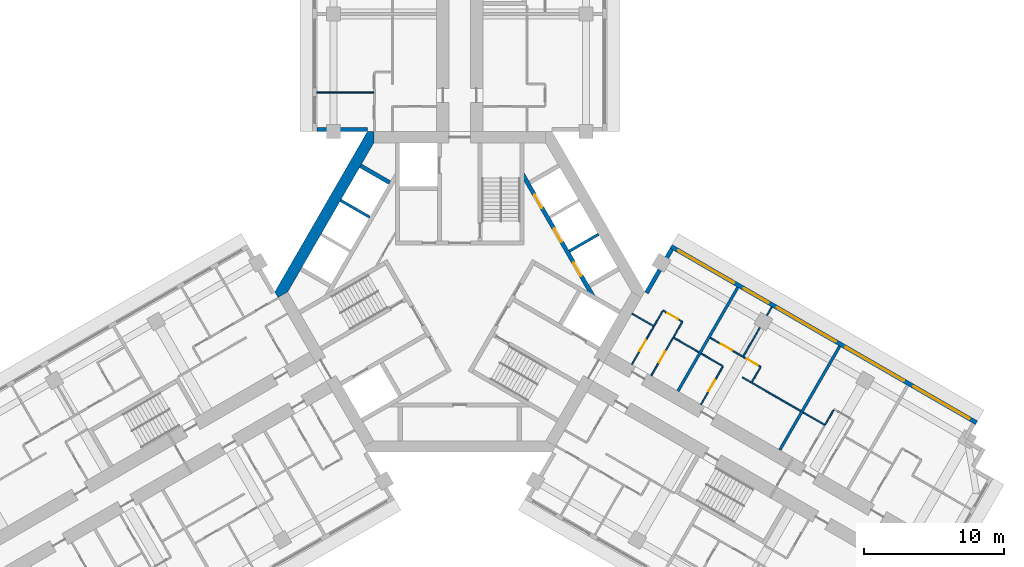
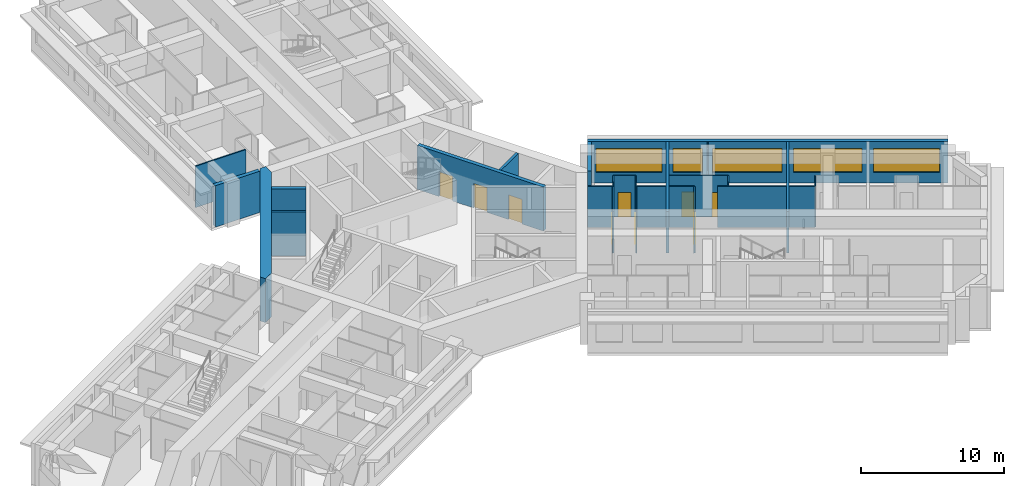
# One storey, part 7 of 12: 27 walls, 9 doors, 5 windows, 14 openings.
"""IFC4 building model written with IfcOpenShell, lengths in metres."""

from ifc_helpers import new_model, si_unit, direction, frame, frame_2d, origin, place, context, subcontext, project, spatial, polyline, rectangle, outline, extrude, material, layer, layer_set, type_object, element, fill, save


model = new_model("IFC4")

# Units and contexts
model_context = context("Model", 3, precision=1e-05, world=origin(), true_north=direction((0.0, 1.0)))
body_context = subcontext(model_context, "Body", "Model", "MODEL_VIEW")
ifc_project = project(units=[si_unit("LENGTHUNIT", "METRE"), si_unit("AREAUNIT", "SQUARE_METRE"), si_unit("VOLUMEUNIT", "CUBIC_METRE"), si_unit("PLANEANGLEUNIT", "RADIAN"), si_unit("MASSUNIT", "GRAM", prefix="KILO")], contexts=[model_context])

# Site, building, storey
site_placement = place(None, origin())
site = spatial("IfcSite", under=ifc_project, at=site_placement, CompositionType="ELEMENT")
building_placement = place(site_placement, origin())
building = spatial("IfcBuilding", under=site, at=building_placement, Name="Impinga Residences", CompositionType="ELEMENT")
storey_placement = place(building_placement, frame((0.0, 0.0, 166.0)))
storey = spatial("IfcBuildingStorey", under=building, at=storey_placement, Name="L41", CompositionType="ELEMENT", Elevation=166.0)

# Walls
ifc_material_1 = material(Name="Terracotta rainscreen on blockwork", Category="masonry")
ifc_layer_1 = layer(ifc_material_1, 0.300048828125)
ifc_layer_set_1 = layer_set([ifc_layer_1], Name="EW1 external wall, terracotta rainscreen on blockwork 300")
wall_type_1 = type_object("IfcWallType", Name="EW1 external wall, terracotta rainscreen on blockwork 300", PredefinedType="SOLIDWALL", material=ifc_layer_set_1)
wall_1_placement = place(storey_placement, frame((-6.60009765625, 11.58154296875, 0.0), z_axis=(0.0, 0.0, 1.0), x_axis=(-1.0, 0.0, 0.0)))
element("IfcWall", 1, at=wall_1_placement, inside=storey, type_object=wall_type_1, Name="External wall EW1 L41", PredefinedType="SOLIDWALL", context=body_context, shape_type="SweptSolid", body=[
    extrude(rectangle(XDim=3.599853515625, YDim=0.300048828125, at=frame_2d((1.7998046875, 0.0))), origin(), (0.0, 0.0, 1.0), 3.530029296875),
])
wall_2_placement = place(storey_placement, frame((13.329833984375, -0.074951171875, 0.0), z_axis=(0.0, 0.0, 1.0), x_axis=(0.500012057535, 0.866018442252, 0.0)))
element("IfcWall", 2, at=wall_2_placement, inside=storey, type_object=wall_type_1, Name="External wall EW1 L41", PredefinedType="SOLIDWALL", context=body_context, shape_type="SweptSolid", body=[
    extrude(rectangle(XDim=3.60009765625, YDim=0.300048828125, at=frame_2d((1.800048828125, 0.0))), origin(), (0.0, 0.0, 1.0), 3.530029296875),
])

# Wall, openings, windows
wall_3_placement = place(storey_placement, frame((15.074951171875, 3.24755859375, 0.0), z_axis=(0.0, 0.0, 1.0), x_axis=(0.86602925447, -0.499993330357, 0.0)))
wall_3 = element("IfcWall", 3, at=wall_3_placement, inside=storey, type_object=wall_type_1, Name="External wall EW1 L41", PredefinedType="SOLIDWALL", context=body_context, shape_type="SweptSolid", body=[
    extrude(rectangle(XDim=25.199951171875, YDim=0.300048828125, at=frame_2d((12.60009765625, 0.0))), origin(), (0.0, 0.0, 1.0), 3.530029296875),
])
opening_1_placement = place(wall_3_placement, frame((0.60009765625, 0.0, 0.89990234375)))
opening_1 = element("IfcOpeningElement", 4, at=opening_1_placement, cuts=wall_3, Name="Opening W3", PredefinedType="OPENING", context=body_context, shape_type="SweptSolid", body=[
    extrude(rectangle(XDim=4.60009765625, YDim=2.050048828125, at=frame_2d((2.300048828125, 1.02490234375))), frame((0.0, 0.159912109375, 0.0), z_axis=(0.0, -1.0, 0.0), x_axis=(1.0, 0.0, 0.0)), (0.0, 0.0, 1.0), 0.320068359375),
])
opening_2_placement = place(wall_3_placement, frame((6.0, 0.0, 0.89990234375)))
opening_2 = element("IfcOpeningElement", 5, at=opening_2_placement, cuts=wall_3, Name="Opening W14", PredefinedType="OPENING", context=body_context, shape_type="SweptSolid", body=[
    extrude(rectangle(XDim=2.050048828125, YDim=2.050048828125, at=frame_2d((1.02490234375, 1.02490234375))), frame((0.0, 0.159912109375, 0.0), z_axis=(0.0, -1.0, 0.0), x_axis=(1.0, 0.0, 0.0)), (0.0, 0.0, 1.0), 0.320068359375),
])
opening_3_placement = place(wall_3_placement, frame((8.75, 0.0, 0.89990234375)))
opening_3 = element("IfcOpeningElement", 6, at=opening_3_placement, cuts=wall_3, Name="Opening W6", PredefinedType="OPENING", context=body_context, shape_type="SweptSolid", body=[
    extrude(rectangle(XDim=4.85009765625, YDim=2.050048828125, at=frame_2d((2.425048828125, 1.02490234375))), frame((0.0, 0.159912109375, 0.0), z_axis=(0.0, -1.0, 0.0), x_axis=(1.0, 0.0, 0.0)), (0.0, 0.0, 1.0), 0.320068359375),
])
opening_4_placement = place(wall_3_placement, frame((14.39990234375, 0.0, 0.89990234375)))
opening_4 = element("IfcOpeningElement", 7, at=opening_4_placement, cuts=wall_3, Name="Opening W8", PredefinedType="OPENING", context=body_context, shape_type="SweptSolid", body=[
    extrude(rectangle(XDim=4.800048828125, YDim=2.050048828125, at=frame_2d((2.39990234375, 1.02490234375))), frame((0.0, 0.159912109375, 0.0), z_axis=(0.0, -1.0, 0.0), x_axis=(1.0, 0.0, 0.0)), (0.0, 0.0, 1.0), 0.320068359375),
])
opening_5_placement = place(wall_3_placement, frame((20.0, 0.0, 0.89990234375)))
opening_5 = element("IfcOpeningElement", 8, at=opening_5_placement, cuts=wall_3, Name="Opening W3", PredefinedType="OPENING", context=body_context, shape_type="SweptSolid", body=[
    extrude(rectangle(XDim=4.60009765625, YDim=2.050048828125, at=frame_2d((2.300048828125, 1.02490234375))), frame((0.0, 0.159912109375, 0.0), z_axis=(0.0, -1.0, 0.0), x_axis=(1.0, 0.0, 0.0)), (0.0, 0.0, 1.0), 0.320068359375),
])
ifc_material_2 = material(Name="Aluminium window, clear double glazing", Category="aluminium")
window_type_1 = type_object("IfcWindowType", Name="W14 ribbon window 2050x2050", PartitioningType="SINGLE_PANEL", PredefinedType="WINDOW", material=ifc_material_2)
window_1_placement = place(opening_2_placement, origin())
window_1 = element("IfcWindow", 9, at=window_1_placement, inside=storey, type_object=window_type_1, Name="Window L41", OverallHeight=2.050048828125, OverallWidth=2.050048828125, PartitioningType="SINGLE_PANEL", PredefinedType="WINDOW", context=body_context, shape_type="SweptSolid", body=[
    extrude(rectangle(XDim=2.050048828125, YDim=2.050048828125, at=frame_2d((1.02490234375, 1.02490234375))), frame((0.0, 0.030029296875, 0.0), z_axis=(0.0, -1.0, 0.0), x_axis=(1.0, 0.0, 0.0)), (0.0, 0.0, 1.0), 0.06005859375),
])
fill(opening_2, window_1)
window_type_2 = type_object("IfcWindowType", Name="W3 ribbon window 4600x2050", PartitioningType="SINGLE_PANEL", PredefinedType="WINDOW", material=ifc_material_2)
window_2_placement = place(opening_1_placement, origin())
window_2 = element("IfcWindow", 10, at=window_2_placement, inside=storey, type_object=window_type_2, Name="Window L41", OverallHeight=2.050048828125, OverallWidth=4.60009765625, PartitioningType="SINGLE_PANEL", PredefinedType="WINDOW", context=body_context, shape_type="SweptSolid", body=[
    extrude(rectangle(XDim=4.60009765625, YDim=2.050048828125, at=frame_2d((2.300048828125, 1.02490234375))), frame((0.0, 0.030029296875, 0.0), z_axis=(0.0, -1.0, 0.0), x_axis=(1.0, 0.0, 0.0)), (0.0, 0.0, 1.0), 0.06005859375),
])
fill(opening_1, window_2)
window_3_placement = place(opening_5_placement, origin())
window_3 = element("IfcWindow", 11, at=window_3_placement, inside=storey, type_object=window_type_2, Name="Window L41", OverallHeight=2.050048828125, OverallWidth=4.60009765625, PartitioningType="SINGLE_PANEL", PredefinedType="WINDOW", context=body_context, shape_type="SweptSolid", body=[
    extrude(rectangle(XDim=4.60009765625, YDim=2.050048828125, at=frame_2d((2.300048828125, 1.02490234375))), frame((0.0, 0.030029296875, 0.0), z_axis=(0.0, -1.0, 0.0), x_axis=(1.0, 0.0, 0.0)), (0.0, 0.0, 1.0), 0.06005859375),
])
fill(opening_5, window_3)
window_type_3 = type_object("IfcWindowType", Name="W6 ribbon window 4850x2050", PartitioningType="SINGLE_PANEL", PredefinedType="WINDOW", material=ifc_material_2)
window_4_placement = place(opening_3_placement, origin())
window_4 = element("IfcWindow", 12, at=window_4_placement, inside=storey, type_object=window_type_3, Name="Window L41", OverallHeight=2.050048828125, OverallWidth=4.85009765625, PartitioningType="SINGLE_PANEL", PredefinedType="WINDOW", context=body_context, shape_type="SweptSolid", body=[
    extrude(rectangle(XDim=4.85009765625, YDim=2.050048828125, at=frame_2d((2.425048828125, 1.02490234375))), frame((0.0, 0.030029296875, 0.0), z_axis=(0.0, -1.0, 0.0), x_axis=(1.0, 0.0, 0.0)), (0.0, 0.0, 1.0), 0.06005859375),
])
fill(opening_3, window_4)
window_type_4 = type_object("IfcWindowType", Name="W8 ribbon window 4800x2050", PartitioningType="SINGLE_PANEL", PredefinedType="WINDOW", material=ifc_material_2)
window_5_placement = place(opening_4_placement, origin())
window_5 = element("IfcWindow", 13, at=window_5_placement, inside=storey, type_object=window_type_4, Name="Window L41", OverallHeight=2.050048828125, OverallWidth=4.800048828125, PartitioningType="SINGLE_PANEL", PredefinedType="WINDOW", context=body_context, shape_type="SweptSolid", body=[
    extrude(rectangle(XDim=4.800048828125, YDim=2.050048828125, at=frame_2d((2.39990234375, 1.02490234375))), frame((0.0, 0.030029296875, 0.0), z_axis=(0.0, -1.0, 0.0), x_axis=(1.0, 0.0, 0.0)), (0.0, 0.0, 1.0), 0.06005859375),
])
fill(opening_4, window_5)

# Walls
ifc_material_3 = material(Name="Gypsum board on steel studs", Category="steel")
ifc_layer_2 = layer(ifc_material_3, 0.10009765625)
ifc_layer_set_2 = layer_set([ifc_layer_2], Name="Gypsum board on steel studs")
wall_type_2 = type_object("IfcWallType", Name="IP1 partition 100", PredefinedType="PARTITIONING", material=ifc_layer_set_2)
wall_4_placement = place(storey_placement, frame((-6.14990234375, 14.2314453125, 0.0), z_axis=(0.0, 0.0, 1.0), x_axis=(-1.0, 0.0, 0.0)))
element("IfcWall", 14, at=wall_4_placement, inside=storey, type_object=wall_type_2, Name="Partition L41-NA1:OB1", PredefinedType="PARTITIONING", context=body_context, shape_type="SweptSolid", body=[
    extrude(rectangle(XDim=4.050048828125, YDim=0.10009765625, at=frame_2d((2.02490234375, 0.0))), origin(), (0.0, 0.0, 1.0), 3.530029296875),
])
wall_5_placement = place(storey_placement, frame((12.300048828125, -1.558837890625, 0.0), z_axis=(0.0, 0.0, 1.0), x_axis=(0.866047807691, -0.499961193289, 0.0)))
element("IfcWall", 15, at=wall_5_placement, inside=storey, type_object=wall_type_2, Name="Partition L41-EA1:DIV0", PredefinedType="PARTITIONING", context=body_context, shape_type="SweptSolid", body=[
    extrude(rectangle(XDim=1.800048828125, YDim=0.10009765625, at=frame_2d((0.89990234375, 0.0))), origin(), (0.0, 0.0, 1.0), 3.530029296875),
])
wall_6_placement = place(storey_placement, frame((15.244384765625, -3.2587890625, 0.0), z_axis=(0.0, 0.0, 1.0), x_axis=(0.866038466041, -0.499977374825, 0.0)))
element("IfcWall", 16, at=wall_6_placement, inside=storey, type_object=wall_type_2, Name="Partition L41-EA1:DIV1", PredefinedType="PARTITIONING", context=body_context, shape_type="SweptSolid", body=[
    extrude(rectangle(XDim=2.10009765625, YDim=0.10009765625, at=frame_2d((1.050048828125, 0.0))), origin(), (0.0, 0.0, 1.0), 3.530029296875),
])

# Wall, opening, door
wall_7_placement = place(storey_placement, frame((14.5087890625, -1.3330078125, 0.0), z_axis=(0.0, 0.0, 1.0), x_axis=(0.866028054938, -0.499995408039, 0.0)))
wall_7 = element("IfcWall", 17, at=wall_7_placement, inside=storey, type_object=wall_type_2, Name="Partition L41-EA1:STRIP", PredefinedType="PARTITIONING", context=body_context, shape_type="SweptSolid", body=[
    extrude(rectangle(XDim=1.60009765625, YDim=0.10009765625, at=frame_2d((0.800048828125, 0.0))), origin(), (0.0, 0.0, 1.0), 3.530029296875),
])
opening_6_placement = place(wall_7_placement, frame((0.35009765625, 0.0, 0.0)))
opening_6 = element("IfcOpeningElement", 18, at=opening_6_placement, cuts=wall_7, Name="Opening D2", PredefinedType="OPENING", context=body_context, shape_type="SweptSolid", body=[
    extrude(rectangle(XDim=0.89990234375, YDim=2.10009765625, at=frame_2d((0.449951171875, 1.050048828125))), frame((0.0, 0.06005859375, 0.0), z_axis=(0.0, -1.0, 0.0), x_axis=(1.0, 0.0, 0.0)), (0.0, 0.0, 1.0), 0.1201171875),
])
ifc_material_4 = material(Name="Timber door set", Category="wood")
door_type_1 = type_object("IfcDoorType", Name="D2 internal door 900x2100", OperationType="SINGLE_SWING_LEFT", PredefinedType="DOOR", material=ifc_material_4)
door_1_placement = place(opening_6_placement, origin())
door_1 = element("IfcDoor", 19, at=door_1_placement, inside=storey, type_object=door_type_1, Name="Apartment L41-EA1 room door", OperationType="SINGLE_SWING_LEFT", OverallHeight=2.10009765625, OverallWidth=0.89990234375, PredefinedType="DOOR", context=body_context, shape_type="SweptSolid", body=[
    extrude(rectangle(XDim=0.89990234375, YDim=2.10009765625, at=frame_2d((0.449951171875, 1.050048828125))), frame((0.0, 0.02490234375, 0.0), z_axis=(0.0, -1.0, 0.0), x_axis=(1.0, 0.0, 0.0)), (0.0, 0.0, 1.0), 0.050048828125),
])
fill(opening_6, door_1)

# Walls
wall_8_placement = place(storey_placement, frame((13.8837890625, -2.41552734375, 0.0), z_axis=(0.0, 0.0, 1.0), x_axis=(0.500033551112, 0.866006032174, 0.0)))
element("IfcWall", 20, at=wall_8_placement, inside=storey, type_object=wall_type_2, Name="Partition L41-EA1:SE0", PredefinedType="PARTITIONING", context=body_context, shape_type="SweptSolid", body=[
    extrude(rectangle(XDim=1.2001953125, YDim=0.10009765625, at=frame_2d((0.60009765625, 0.0))), origin(), (0.0, 0.0, 1.0), 3.530029296875),
])
wall_9_placement = place(storey_placement, frame((15.26953125, -3.215576171875, 0.0), z_axis=(0.0, 0.0, 1.0), x_axis=(0.499880961361, 0.866094119867, 0.0)))
element("IfcWall", 21, at=wall_9_placement, inside=storey, type_object=wall_type_2, Name="Partition L41-EA1:SE1", PredefinedType="PARTITIONING", context=body_context, shape_type="SweptSolid", body=[
    extrude(rectangle(XDim=1.199951171875, YDim=0.10009765625, at=frame_2d((0.60009765625, 0.0))), origin(), (0.0, 0.0, 1.0), 3.530029296875),
])

# Wall, opening, door
wall_10_placement = place(storey_placement, frame((12.283935546875, -5.186767578125, 0.0), z_axis=(0.0, 0.0, 1.0), x_axis=(0.499967891604, 0.866043940782, 0.0)))
wall_10 = element("IfcWall", 22, at=wall_10_placement, inside=storey, type_object=wall_type_2, Name="Partition L41-EA1:IB1", PredefinedType="PARTITIONING", context=body_context, shape_type="SweptSolid", body=[
    extrude(rectangle(XDim=3.099853515625, YDim=0.10009765625, at=frame_2d((1.5498046875, 0.0))), origin(), (0.0, 0.0, 1.0), 3.530029296875),
])
opening_7_placement = place(wall_10_placement, frame((1.10009765625, 0.0, 0.0)))
opening_7 = element("IfcOpeningElement", 23, at=opening_7_placement, cuts=wall_10, Name="Opening D2", PredefinedType="OPENING", context=body_context, shape_type="SweptSolid", body=[
    extrude(rectangle(XDim=0.89990234375, YDim=2.10009765625, at=frame_2d((0.449951171875, 1.050048828125))), frame((0.0, 0.06005859375, 0.0), z_axis=(0.0, -1.0, 0.0), x_axis=(1.0, 0.0, 0.0)), (0.0, 0.0, 1.0), 0.1201171875),
])
door_2_placement = place(opening_7_placement, origin())
door_2 = element("IfcDoor", 24, at=door_2_placement, inside=storey, type_object=door_type_1, Name="Apartment L41-EA1 bathroom door", OperationType="SINGLE_SWING_LEFT", OverallHeight=2.10009765625, OverallWidth=0.89990234375, PredefinedType="DOOR", context=body_context, shape_type="SweptSolid", body=[
    extrude(rectangle(XDim=0.89990234375, YDim=2.10009765625, at=frame_2d((0.449951171875, 1.050048828125))), frame((0.0, 0.02490234375, 0.0), z_axis=(0.0, -1.0, 0.0), x_axis=(1.0, 0.0, 0.0)), (0.0, 0.0, 1.0), 0.050048828125),
])
fill(opening_7, door_2)

wall_11_placement = place(storey_placement, frame((13.66943359375, -5.98681640625, 0.0), z_axis=(0.0, 0.0, 1.0), x_axis=(0.500026960575, 0.86600983753, 0.0)))
wall_11 = element("IfcWall", 25, at=wall_11_placement, inside=storey, type_object=wall_type_2, Name="Partition L41-EA1:IB2", PredefinedType="PARTITIONING", context=body_context, shape_type="SweptSolid", body=[
    extrude(rectangle(XDim=3.099853515625, YDim=0.10009765625, at=frame_2d((1.5498046875, 0.0))), origin(), (0.0, 0.0, 1.0), 3.530029296875),
])
opening_8_placement = place(wall_11_placement, frame((1.10009765625, 0.0, 0.0)))
opening_8 = element("IfcOpeningElement", 26, at=opening_8_placement, cuts=wall_11, Name="Opening D2", PredefinedType="OPENING", context=body_context, shape_type="SweptSolid", body=[
    extrude(rectangle(XDim=0.89990234375, YDim=2.10009765625, at=frame_2d((0.449951171875, 1.050048828125))), frame((0.0, 0.06005859375, 0.0), z_axis=(0.0, -1.0, 0.0), x_axis=(1.0, 0.0, 0.0)), (0.0, 0.0, 1.0), 0.1201171875),
])
door_3_placement = place(opening_8_placement, origin())
door_3 = element("IfcDoor", 27, at=door_3_placement, inside=storey, type_object=door_type_1, Name="Apartment L41-EA1 WC door", OperationType="SINGLE_SWING_LEFT", OverallHeight=2.10009765625, OverallWidth=0.89990234375, PredefinedType="DOOR", context=body_context, shape_type="SweptSolid", body=[
    extrude(rectangle(XDim=0.89990234375, YDim=2.10009765625, at=frame_2d((0.449951171875, 1.050048828125))), frame((0.0, 0.02490234375, 0.0), z_axis=(0.0, -1.0, 0.0), x_axis=(1.0, 0.0, 0.0)), (0.0, 0.0, 1.0), 0.050048828125),
])
fill(opening_8, door_3)

# Walls
wall_12_placement = place(storey_placement, frame((17.236328125, -4.408935546875, 0.0), z_axis=(0.0, 0.0, 1.0), x_axis=(0.866047807691, -0.499961193289, 0.0)))
element("IfcWall", 28, at=wall_12_placement, inside=storey, type_object=wall_type_2, Name="Partition L41-EA2:DIV0", PredefinedType="PARTITIONING", context=body_context, shape_type="SweptSolid", body=[
    extrude(rectangle(XDim=1.800048828125, YDim=0.10009765625, at=frame_2d((0.89990234375, 0.0))), origin(), (0.0, 0.0, 1.0), 3.530029296875),
])
wall_13_placement = place(storey_placement, frame((20.180908203125, -6.10888671875, 0.0), z_axis=(0.0, 0.0, 1.0), x_axis=(0.866024647952, -0.500001309137, 0.0)))
element("IfcWall", 29, at=wall_13_placement, inside=storey, type_object=wall_type_2, Name="Partition L41-EA2:DIV1", PredefinedType="PARTITIONING", context=body_context, shape_type="SweptSolid", body=[
    extrude(rectangle(XDim=4.7998046875, YDim=0.10009765625, at=frame_2d((2.39990234375, 0.0))), origin(), (0.0, 0.0, 1.0), 3.530029296875),
])

# Wall, openings, doors
wall_14_placement = place(storey_placement, frame((17.88623046875, -3.282958984375, 0.0), z_axis=(0.0, 0.0, 1.0), x_axis=(0.866044524524, -0.499966880446, 0.0)))
wall_14 = element("IfcWall", 30, at=wall_14_placement, inside=storey, type_object=wall_type_2, Name="Partition L41-EA2:STRIP", PredefinedType="PARTITIONING", context=body_context, shape_type="SweptSolid", body=[
    extrude(rectangle(XDim=4.150146484375, YDim=0.10009765625, at=frame_2d((2.0751953125, 0.0))), origin(), (0.0, 0.0, 1.0), 3.530029296875),
])
opening_9_placement = place(wall_14_placement, frame((0.875, 0.0, 0.0)))
opening_9 = element("IfcOpeningElement", 31, at=opening_9_placement, cuts=wall_14, Name="Opening D2", PredefinedType="OPENING", context=body_context, shape_type="SweptSolid", body=[
    extrude(rectangle(XDim=0.89990234375, YDim=2.10009765625, at=frame_2d((0.449951171875, 1.050048828125))), frame((0.0, 0.06005859375, 0.0), z_axis=(0.0, -1.0, 0.0), x_axis=(1.0, 0.0, 0.0)), (0.0, 0.0, 1.0), 0.1201171875),
])
opening_10_placement = place(wall_14_placement, frame((3.0, 0.0, 0.0)))
opening_10 = element("IfcOpeningElement", 32, at=opening_10_placement, cuts=wall_14, Name="Opening D2", PredefinedType="OPENING", context=body_context, shape_type="SweptSolid", body=[
    extrude(rectangle(XDim=0.89990234375, YDim=2.10009765625, at=frame_2d((0.449951171875, 1.050048828125))), frame((0.0, 0.06005859375, 0.0), z_axis=(0.0, -1.0, 0.0), x_axis=(1.0, 0.0, 0.0)), (0.0, 0.0, 1.0), 0.1201171875),
])
door_4_placement = place(opening_9_placement, origin())
door_4 = element("IfcDoor", 33, at=door_4_placement, inside=storey, type_object=door_type_1, Name="Apartment L41-EA2 room door", OperationType="SINGLE_SWING_LEFT", OverallHeight=2.10009765625, OverallWidth=0.89990234375, PredefinedType="DOOR", context=body_context, shape_type="SweptSolid", body=[
    extrude(rectangle(XDim=0.89990234375, YDim=2.10009765625, at=frame_2d((0.449951171875, 1.050048828125))), frame((0.0, 0.02490234375, 0.0), z_axis=(0.0, -1.0, 0.0), x_axis=(1.0, 0.0, 0.0)), (0.0, 0.0, 1.0), 0.050048828125),
])
fill(opening_9, door_4)
door_5_placement = place(opening_10_placement, origin())
door_5 = element("IfcDoor", 34, at=door_5_placement, inside=storey, type_object=door_type_1, Name="Apartment L41-EA2 room door", OperationType="SINGLE_SWING_RIGHT", OverallHeight=2.10009765625, OverallWidth=0.89990234375, PredefinedType="DOOR", context=body_context, shape_type="SweptSolid", body=[
    extrude(rectangle(XDim=0.89990234375, YDim=2.10009765625, at=frame_2d((0.449951171875, 1.050048828125))), frame((0.0, 0.02490234375, 0.0), z_axis=(0.0, -1.0, 0.0), x_axis=(1.0, 0.0, 0.0)), (0.0, 0.0, 1.0), 0.050048828125),
])
fill(opening_10, door_5)

# Wall
wall_15_placement = place(storey_placement, frame((20.85546875, -6.4404296875, 0.0), z_axis=(0.0, 0.0, 1.0), x_axis=(0.499969057507, 0.866043267704, 0.0)))
element("IfcWall", 35, at=wall_15_placement, inside=storey, type_object=wall_type_2, Name="Partition L41-EA2:SE1", PredefinedType="PARTITIONING", context=body_context, shape_type="SweptSolid", body=[
    extrude(rectangle(XDim=1.19970703125, YDim=0.10009765625, at=frame_2d((0.599853515625, 0.0))), origin(), (0.0, 0.0, 1.0), 3.530029296875),
])

# Wall, opening, door
wall_16_placement = place(storey_placement, frame((17.22021484375, -8.036865234375, 0.0), z_axis=(0.0, 0.0, 1.0), x_axis=(0.49999285859, 0.86602952684, 0.0)))
wall_16 = element("IfcWall", 36, at=wall_16_placement, inside=storey, type_object=wall_type_2, Name="Partition L41-EA2:IB1", PredefinedType="PARTITIONING", context=body_context, shape_type="SweptSolid", body=[
    extrude(rectangle(XDim=3.10009765625, YDim=0.10009765625, at=frame_2d((1.550048828125, 0.0))), origin(), (0.0, 0.0, 1.0), 3.530029296875),
])
opening_11_placement = place(wall_16_placement, frame((1.10009765625, 0.0, 0.0)))
opening_11 = element("IfcOpeningElement", 37, at=opening_11_placement, cuts=wall_16, Name="Opening D2", PredefinedType="OPENING", context=body_context, shape_type="SweptSolid", body=[
    extrude(rectangle(XDim=0.89990234375, YDim=2.10009765625, at=frame_2d((0.449951171875, 1.050048828125))), frame((0.0, 0.06005859375, 0.0), z_axis=(0.0, -1.0, 0.0), x_axis=(1.0, 0.0, 0.0)), (0.0, 0.0, 1.0), 0.1201171875),
])
door_6_placement = place(opening_11_placement, origin())
door_6 = element("IfcDoor", 38, at=door_6_placement, inside=storey, type_object=door_type_1, Name="Apartment L41-EA2 bathroom door", OperationType="SINGLE_SWING_LEFT", OverallHeight=2.10009765625, OverallWidth=0.89990234375, PredefinedType="DOOR", context=body_context, shape_type="SweptSolid", body=[
    extrude(rectangle(XDim=0.89990234375, YDim=2.10009765625, at=frame_2d((0.449951171875, 1.050048828125))), frame((0.0, 0.02490234375, 0.0), z_axis=(0.0, -1.0, 0.0), x_axis=(1.0, 0.0, 0.0)), (0.0, 0.0, 1.0), 0.050048828125),
])
fill(opening_11, door_6)

# Walls
wall_17_placement = place(storey_placement, frame((20.24951171875, -4.589599609375, 0.0), z_axis=(0.0, 0.0, 1.0), x_axis=(0.500016218704, 0.866016039709, 0.0)))
element("IfcWall", 39, at=wall_17_placement, inside=storey, type_object=wall_type_2, Name="Partition L41-EA2:OB1", PredefinedType="PARTITIONING", context=body_context, shape_type="SweptSolid", body=[
    extrude(rectangle(XDim=2.35009765625, YDim=0.10009765625, at=frame_2d((1.175048828125, 0.0))), origin(), (0.0, 0.0, 1.0), 2.47998046875),
])
wall_18_placement = place(storey_placement, frame((21.924560546875, -1.6884765625, 0.0), z_axis=(0.0, 0.0, 1.0), x_axis=(0.500114896893, 0.865959057869, 0.0)))
element("IfcWall", 40, at=wall_18_placement, inside=storey, type_object=wall_type_2, Name="Partition L41-EA2:OB1b", PredefinedType="PARTITIONING", context=body_context, shape_type="SweptSolid", body=[
    extrude(rectangle(XDim=0.699951171875, YDim=0.10009765625, at=frame_2d((0.35009765625, 0.0))), origin(), (0.0, 0.0, 1.0), 3.530029296875),
])
wall_19_placement = place(storey_placement, frame((24.510986328125, -8.60888671875, 0.0), z_axis=(0.0, 0.0, 1.0), x_axis=(0.866047807691, -0.499961193289, 0.0)))
element("IfcWall", 41, at=wall_19_placement, inside=storey, type_object=wall_type_2, Name="Partition L41-EA3:DIV0", PredefinedType="PARTITIONING", context=body_context, shape_type="SweptSolid", body=[
    extrude(rectangle(XDim=1.800048828125, YDim=0.10009765625, at=frame_2d((0.89990234375, 0.0))), origin(), (0.0, 0.0, 1.0), 3.530029296875),
])
wall_20_placement = place(storey_placement, frame((26.0947265625, -9.465576171875, 0.0), z_axis=(0.0, 0.0, 1.0), x_axis=(0.500033551112, 0.866006032174, 0.0)))
element("IfcWall", 42, at=wall_20_placement, inside=storey, type_object=wall_type_2, Name="Partition L41-EA3:SE0", PredefinedType="PARTITIONING", context=body_context, shape_type="SweptSolid", body=[
    extrude(rectangle(XDim=1.2001953125, YDim=0.10009765625, at=frame_2d((0.60009765625, 0.0))), origin(), (0.0, 0.0, 1.0), 3.530029296875),
])
ifc_material_5 = material(Name="Concrete blockwork", Category="masonry")
ifc_layer_3 = layer(ifc_material_5, 0.199951171875)
ifc_layer_set_3 = layer_set([ifc_layer_3], Name="PW1 party wall between apartments 200")
wall_type_3 = type_object("IfcWallType", Name="PW1 party wall between apartments 200", PredefinedType="SOLIDWALL", material=ifc_layer_set_3)
for number, where, z_axis, x_axis, name in (
    (43, (15.57470703125, -7.0869140625, 0.0), (0.0, 0.0, 1.0), (0.500011643316, 0.866018681408, 0.0), "Party wall between apartments L41-EA1:PARTY"),
    (44, (22.849365234375, -11.286865234375, 0.0), (0.0, 0.0, 1.0), (0.499990227581, 0.86603104582, 0.0), "Party wall between apartments L41-EA2:PARTY"),
):
    element("IfcWall", number, at=place(storey_placement, frame(where, z_axis=z_axis, x_axis=x_axis)), inside=storey, type_object=wall_type_3, Name=name, PredefinedType="SOLIDWALL", context=body_context, shape_type="SweptSolid", body=[
        extrude(rectangle(XDim=8.550048828125, YDim=0.199951171875, at=frame_2d((4.27490234375, 0.0))), origin(), (0.0, 0.0, 1.0), 3.530029296875),
    ])
ifc_material_6 = material(Name="Concrete C60/75", Category="concrete")
ifc_layer_4 = layer(ifc_material_6, 0.800048828125)
ifc_layer_set_4 = layer_set([ifc_layer_4], Name="Concrete C60/75")
wall_type_4 = type_object("IfcWallType", Name="SW2 core wall 800", PredefinedType="SHEAR", material=ifc_layer_set_4)
wall_21_placement = place(storey_placement, origin())
element("IfcWall", 45, at=wall_21_placement, inside=storey, type_object=wall_type_4, Name="Core wall SW2 E:EXPOSED L41", PredefinedType="SHEAR", context=body_context, shape_type="SweptSolid", body=[
    extrude(outline(polyline([(-6.60009765625, 11.431640625), (-13.199951171875, 0.0), (-12.968994140625, -0.39990234375), (-12.276123046875, 0.0), (-6.13818359375, 10.631591796875), (-6.13818359375, 11.431640625), (-6.60009765625, 11.431640625)])), origin(), (0.0, 0.0, 1.0), 3.75),
])

# Wall, openings, doors
ifc_material_7 = material(Name="Concrete C70/85", Category="concrete")
ifc_layer_5 = layer(ifc_material_7, 0.300048828125)
ifc_layer_set_5 = layer_set([ifc_layer_5], Name="Concrete C70/85")
wall_type_5 = type_object("IfcWallType", Name="SW5 core inner wall, stairs, shafts and lobbies 300", PredefinedType="SHEAR", material=ifc_layer_set_5)
wall_22_placement = place(storey_placement, frame((4.449951171875, 8.455322265625, 0.0), z_axis=(0.0, 0.0, 1.0), x_axis=(0.500002290144, -0.866024081565, 0.0)))
wall_22 = element("IfcWall", 46, at=wall_22_placement, inside=storey, type_object=wall_type_5, Name="Core wall SW5 W:BANK-FRONT L41", PredefinedType="SHEAR", context=body_context, shape_type="SweptSolid", body=[
    extrude(rectangle(XDim=10.1953125, YDim=0.300048828125, at=frame_2d((5.09765625, 0.0))), origin(), (0.0, 0.0, 1.0), 3.75),
])
opening_12_placement = place(wall_22_placement, frame((1.74755859375, 0.0, 0.0)))
opening_12 = element("IfcOpeningElement", 47, at=opening_12_placement, cuts=wall_22, Name="Opening LD1", PredefinedType="OPENING", context=body_context, shape_type="SweptSolid", body=[
    extrude(rectangle(XDim=1.10009765625, YDim=2.10009765625, at=frame_2d((0.550048828125, 1.050048828125))), frame((0.0, 0.159912109375, 0.0), z_axis=(0.0, -1.0, 0.0), x_axis=(1.0, 0.0, 0.0)), (0.0, 0.0, 1.0), 0.320068359375),
])
opening_13_placement = place(wall_22_placement, frame((4.547607421875, 0.0, 0.0)))
opening_13 = element("IfcOpeningElement", 48, at=opening_13_placement, cuts=wall_22, Name="Opening LD1", PredefinedType="OPENING", context=body_context, shape_type="SweptSolid", body=[
    extrude(rectangle(XDim=1.10009765625, YDim=2.10009765625, at=frame_2d((0.550048828125, 1.050048828125))), frame((0.0, 0.159912109375, 0.0), z_axis=(0.0, -1.0, 0.0), x_axis=(1.0, 0.0, 0.0)), (0.0, 0.0, 1.0), 0.320068359375),
])
opening_14_placement = place(wall_22_placement, frame((7.34765625, 0.0, 0.0)))
opening_14 = element("IfcOpeningElement", 49, at=opening_14_placement, cuts=wall_22, Name="Opening LD1", PredefinedType="OPENING", context=body_context, shape_type="SweptSolid", body=[
    extrude(rectangle(XDim=1.10009765625, YDim=2.10009765625, at=frame_2d((0.550048828125, 1.050048828125))), frame((0.0, 0.159912109375, 0.0), z_axis=(0.0, -1.0, 0.0), x_axis=(1.0, 0.0, 0.0)), (0.0, 0.0, 1.0), 0.320068359375),
])
ifc_material_8 = material(Name="Steel lift landing door", Category="steel")
door_type_2 = type_object("IfcDoorType", Name="LD1 passenger lift landing door 1100x2100", OperationType="DOUBLE_DOOR_SLIDING", PredefinedType="DOOR", material=ifc_material_8)
door_7_placement = place(opening_12_placement, origin())
door_7 = element("IfcDoor", 50, at=door_7_placement, inside=storey, type_object=door_type_2, Name="Lift landing door P4", OperationType="DOUBLE_DOOR_SLIDING", OverallHeight=2.10009765625, OverallWidth=1.10009765625, PredefinedType="DOOR", context=body_context, shape_type="SweptSolid", body=[
    extrude(rectangle(XDim=1.10009765625, YDim=2.10009765625, at=frame_2d((0.550048828125, 1.050048828125))), frame((0.0, 0.02490234375, 0.0), z_axis=(0.0, -1.0, 0.0), x_axis=(1.0, 0.0, 0.0)), (0.0, 0.0, 1.0), 0.050048828125),
])
fill(opening_12, door_7)
door_8_placement = place(opening_13_placement, origin())
door_8 = element("IfcDoor", 51, at=door_8_placement, inside=storey, type_object=door_type_2, Name="Lift landing door P5", OperationType="DOUBLE_DOOR_SLIDING", OverallHeight=2.10009765625, OverallWidth=1.10009765625, PredefinedType="DOOR", context=body_context, shape_type="SweptSolid", body=[
    extrude(rectangle(XDim=1.10009765625, YDim=2.10009765625, at=frame_2d((0.550048828125, 1.050048828125))), frame((0.0, 0.02490234375, 0.0), z_axis=(0.0, -1.0, 0.0), x_axis=(1.0, 0.0, 0.0)), (0.0, 0.0, 1.0), 0.050048828125),
])
fill(opening_13, door_8)
door_9_placement = place(opening_14_placement, origin())
door_9 = element("IfcDoor", 52, at=door_9_placement, inside=storey, type_object=door_type_2, Name="Lift landing door P6", OperationType="DOUBLE_DOOR_SLIDING", OverallHeight=2.10009765625, OverallWidth=1.10009765625, PredefinedType="DOOR", context=body_context, shape_type="SweptSolid", body=[
    extrude(rectangle(XDim=1.10009765625, YDim=2.10009765625, at=frame_2d((0.550048828125, 1.050048828125))), frame((0.0, 0.02490234375, 0.0), z_axis=(0.0, -1.0, 0.0), x_axis=(1.0, 0.0, 0.0)), (0.0, 0.0, 1.0), 0.050048828125),
])
fill(opening_14, door_9)

# Walls
wall_23_placement = place(storey_placement, frame((-5.003662109375, 7.79638671875, 0.0), z_axis=(0.0, 0.0, 1.0), x_axis=(-0.866050077142, 0.499957262057, 0.0)))
element("IfcWall", 53, at=wall_23_placement, inside=storey, type_object=wall_type_5, Name="Core wall SW5 E:BANK-R L41", PredefinedType="SHEAR", context=body_context, shape_type="SweptSolid", body=[
    extrude(rectangle(XDim=2.400146484375, YDim=0.300048828125, at=frame_2d((1.2001953125, 0.0))), origin(), (0.0, 0.0, 1.0), 3.75),
])
ifc_layer_6 = layer(ifc_material_7, 0.199951171875)
ifc_layer_set_6 = layer_set([ifc_layer_6], Name="Concrete C70/85")
wall_type_6 = type_object("IfcWallType", Name="SW6 lift shaft divider wall 200", PredefinedType="SHEAR", material=ifc_layer_set_6)
wall_24_placement = place(storey_placement, frame((7.82861328125, 2.9033203125, 0.0), z_axis=(0.0, 0.0, 1.0), x_axis=(0.866050077142, 0.499957262057, 0.0)))
element("IfcWall", 54, at=wall_24_placement, inside=storey, type_object=wall_type_6, Name="Core wall SW6 W:BANK-D2 L41", PredefinedType="SHEAR", context=body_context, shape_type="SweptSolid", body=[
    extrude(rectangle(XDim=2.400146484375, YDim=0.199951171875, at=frame_2d((1.2001953125, 0.0))), origin(), (0.0, 0.0, 1.0), 3.75),
])
wall_25_placement = place(storey_placement, frame((-6.4287109375, 5.328125, 0.0), z_axis=(0.0, 0.0, 1.0), x_axis=(-0.865980596518, 0.500077600433, 0.0)))
element("IfcWall", 55, at=wall_25_placement, inside=storey, type_object=wall_type_6, Name="Core wall SW6 E:BANK-D2 L41", PredefinedType="SHEAR", context=body_context, shape_type="SweptSolid", body=[
    extrude(rectangle(XDim=2.39990234375, YDim=0.199951171875, at=frame_2d((1.199951171875, 0.0))), origin(), (0.0, 0.0, 1.0), 3.75),
])

save(model, "model.ifc")
